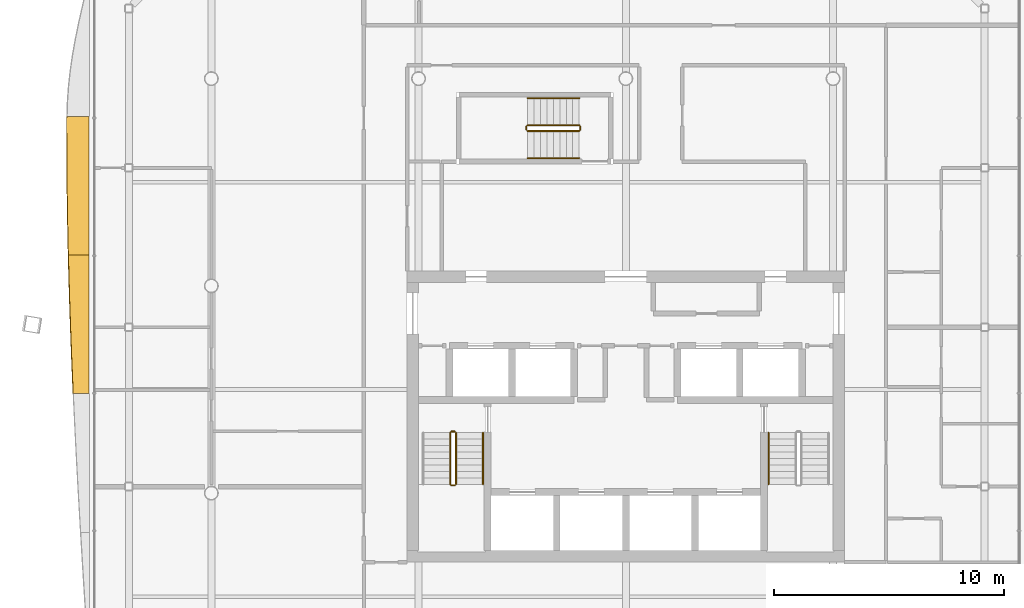
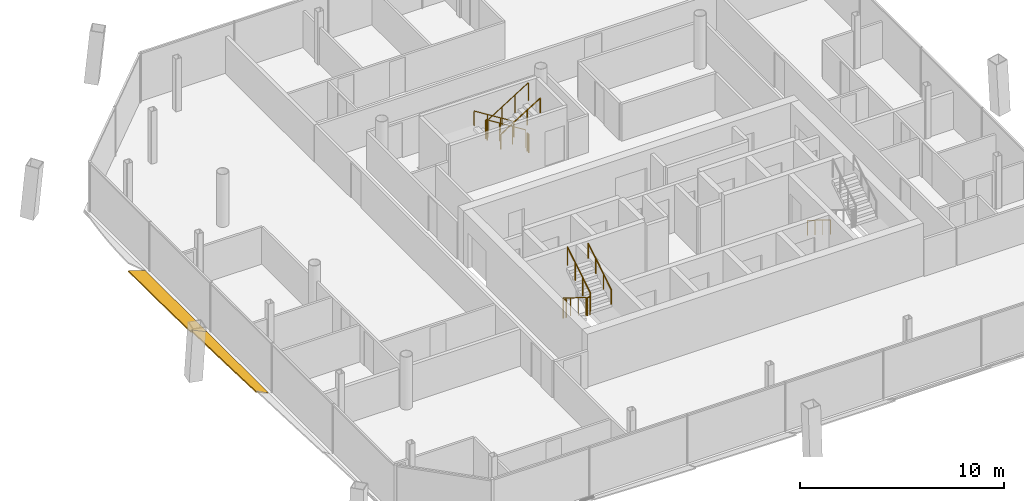
# One storey, part 18 of 20: 12 railings, 2 shading devices.
"""IFC4 building model written with IfcOpenShell, lengths in metres."""

from ifc_helpers import new_model, si_unit, direction, frame, origin, origin_2d, place, context, subcontext, project, spatial, polyline, circle, outline, extrude, material, layer, layer_set, type_object, element, save


model = new_model("IFC4")

# Units and contexts
model_context = context("Model", 3, precision=1e-05, world=origin(), true_north=direction((0.0, 1.0)))
body_context = subcontext(model_context, "Body", "Model", "MODEL_VIEW")
ifc_project = project(units=[si_unit("LENGTHUNIT", "METRE"), si_unit("AREAUNIT", "SQUARE_METRE"), si_unit("VOLUMEUNIT", "CUBIC_METRE"), si_unit("PLANEANGLEUNIT", "RADIAN"), si_unit("MASSUNIT", "GRAM", prefix="KILO")], contexts=[model_context])

# Site, building, storey
site_placement = place(None, origin())
site = spatial("IfcSite", under=ifc_project, at=site_placement, CompositionType="ELEMENT")
building_placement = place(site_placement, origin())
building = spatial("IfcBuilding", under=site, at=building_placement, Name="Tskaro Facet Tower", CompositionType="ELEMENT")
storey_placement = place(building_placement, frame((0.0, 0.0, 197.39990234375)))
storey = spatial("IfcBuildingStorey", under=building, at=storey_placement, Name="L50", CompositionType="ELEMENT", Elevation=197.39990234375)

# Shading devices
ifc_material_1 = material(Name="Bronze anodised aluminium 6063-T6", Category="aluminium")
ifc_layer = layer(ifc_material_1, 0.06005859375, Name="Bronze anodised aluminium 6063-T6")
ifc_layer_set = layer_set([ifc_layer], Name="Bronze anodised aluminium 6063-T6")
shading_device_type = type_object("IfcShadingDeviceType", Name="Bronze sun blade (FN1)", PredefinedType="USERDEFINED", material=ifc_layer_set)
shading_device_1_placement = place(storey_placement, frame((-23.3095703125, 7.354736328125, 0.056396484375), z_axis=(0.342126019609, 1.4419109e-05, 0.939654078105), x_axis=(4.933152e-06, -0.999999999896, 1.3548975e-05)))
element("IfcShadingDevice", 1, at=shading_device_1_placement, inside=storey, type_object=shading_device_type, Name="Fin blade west 2", ObjectType="FIN", PredefinedType="USERDEFINED", context=body_context, shape_type="SweptSolid", body=[
    extrude(outline(polyline([(0.0, 0.0), (6.019042968124289, 0.0), (6.019042969420159, -0.956688795967807), (5.350341795715747, -0.9727496663976708), (4.6816406250306875, -0.986808221235516), (4.012695311023385, -0.9992397490889502), (3.343994141864794, -1.00943955361643), (2.6750488260761047, -1.017928804299234), (2.006347655136126, -1.0241863316560837), (1.337646486011118, -1.0286709511548506), (0.6687011714603945, -1.0312156090750062), (0.1804199224102433, -1.0317579514031432), (-1.244179750312315e-09, -1.0306732667468692), (0.0, 0.0)])), origin(), (0.0, 0.0, -1.0), 0.06005859375),
])
shading_device_2_placement = place(storey_placement, frame((-23.3046875, 1.335693359375, 0.054443359375), z_axis=(0.422660493682, -4.511271e-06, 0.90628809275), x_axis=(-1.906736e-06, -0.99999999999, -4.088512e-06)))
element("IfcShadingDevice", 2, at=shading_device_2_placement, inside=storey, type_object=shading_device_type, Name="Fin blade west 3", ObjectType="FIN", PredefinedType="USERDEFINED", context=body_context, shape_type="SweptSolid", body=[
    extrude(outline(polyline([(0.0, 0.0), (6.019287109313749, 1.274633625155931e-21), (6.019287109792275, -0.7609638018137694), (5.350585937887873, -0.7932937722184373), (4.681640624561746, -0.8240897949805449), (4.012939453060232, -0.8531454929059096), (3.3439941401369953, -0.8806672431887139), (2.675292969038372, -0.9064486686347751), (2.0065917971430207, -0.930696146438276), (1.3376464838930942, -0.9528639645193329), (0.6689453124677812, -0.9732914577636466), (1.5340358587137569e-10, -0.9918605530269123), (0.0, 0.0)])), origin(), (0.0, 0.0, -1.0), 0.06005859375),
])

# Railings
ifc_material_2 = material(Name="Stainless steel", Category="steel")
railing_type_1 = type_object("IfcRailingType", Name="RL-GUARD-1100", PredefinedType="GUARDRAIL", material=ifc_material_2)
railing_1_placement = place(storey_placement, frame((-7.625, -6.375, 0.175048828125)))
element("IfcRailing", 3, at=railing_1_placement, inside=storey, type_object=railing_type_1, Name="L50 ST-1 stair guard 1", PredefinedType="GUARDRAIL", context=body_context, shape_type="SweptSolid", body=[
    extrude(circle(Radius=0.02392578125, at=origin_2d()), frame((0.0, 0.0, 1.076171875), z_axis=(0.0, -0.847972341737, 0.530040477369), x_axis=(1.0, 0.0, 0.0)), (0.0, 0.0, 1.0), 2.6416015625),
    extrude(circle(Radius=0.02099609375, at=origin_2d()), origin(), (0.0, 0.0, 1.0), 1.052001953125),
    extrude(circle(Radius=0.02099609375, at=origin_2d()), frame((0.0, -0.74658203125, 0.466796875)), (0.0, 0.0, 1.0), 1.052001953125),
    extrude(circle(Radius=0.02099609375, at=origin_2d()), frame((0.0, -1.493408203125, 0.933349609375)), (0.0, 0.0, 1.0), 1.052001953125),
    extrude(circle(Radius=0.02099609375, at=origin_2d()), frame((0.0, -2.239990234375, 1.400146484375)), (0.0, 0.0, 1.0), 1.052001953125),
])
railing_2_placement = place(storey_placement, frame((-7.574951171875, -8.6650390625, 1.5751953125)))
element("IfcRailing", 4, at=railing_2_placement, inside=storey, type_object=railing_type_1, Name="L50 ST-1 stair guard 2", PredefinedType="GUARDRAIL", context=body_context, shape_type="SweptSolid", body=[
    extrude(circle(Radius=0.02392578125, at=origin_2d()), frame((0.0, 0.0, 1.076171875), z_axis=(1.0, 0.0, 0.0), x_axis=(0.0, 1.0, 0.0)), (0.0, 0.0, 1.0), 0.14990234375),
    extrude(circle(Radius=0.02099609375, at=origin_2d()), origin(), (0.0, 0.0, 1.0), 1.052001953125),
    extrude(circle(Radius=0.02099609375, at=origin_2d()), frame((0.14990234375, 0.0, 0.0)), (0.0, 0.0, 1.0), 1.052001953125),
])
railing_3_placement = place(storey_placement, frame((-7.375, -8.614990234375, 1.75)))
element("IfcRailing", 5, at=railing_3_placement, inside=storey, type_object=railing_type_1, Name="L50 ST-1 stair guard 3", PredefinedType="GUARDRAIL", context=body_context, shape_type="SweptSolid", body=[
    extrude(circle(Radius=0.02392578125, at=origin_2d()), frame((0.0, 0.0, 1.076171875), z_axis=(0.0, 0.847972341737, 0.530040477369), x_axis=(-1.0, 0.0, 0.0)), (0.0, 0.0, 1.0), 2.6416015625),
    extrude(circle(Radius=0.02099609375, at=origin_2d()), origin(), (0.0, 0.0, 1.0), 1.052001953125),
    extrude(circle(Radius=0.02099609375, at=origin_2d()), frame((0.0, 0.74658203125, 0.466796875)), (0.0, 0.0, 1.0), 1.052001953125),
    extrude(circle(Radius=0.02099609375, at=origin_2d()), frame((0.0, 1.493408203125, 0.933349609375)), (0.0, 0.0, 1.0), 1.052001953125),
    extrude(circle(Radius=0.02099609375, at=origin_2d()), frame((0.0, 2.239990234375, 1.400146484375)), (0.0, 0.0, 1.0), 1.052001953125),
])
railing_4_placement = place(storey_placement, frame((-7.574951171875, -6.324951171875, 0.0)))
element("IfcRailing", 6, at=railing_4_placement, inside=storey, type_object=railing_type_1, Name="L50 ST-1 stair guard 4", PredefinedType="GUARDRAIL", context=body_context, shape_type="SweptSolid", body=[
    extrude(circle(Radius=0.02392578125, at=origin_2d()), frame((0.0, 0.0, 1.076171875), z_axis=(1.0, 0.0, 0.0), x_axis=(0.0, 1.0, 0.0)), (0.0, 0.0, 1.0), 0.14990234375),
    extrude(circle(Radius=0.02099609375, at=origin_2d()), origin(), (0.0, 0.0, 1.0), 1.052001953125),
    extrude(circle(Radius=0.02099609375, at=origin_2d()), frame((0.14990234375, 0.0, 0.0)), (0.0, 0.0, 1.0), 1.052001953125),
])
railing_5_placement = place(storey_placement, frame((-2.02490234375, 6.97509765625, 0.175048828125)))
element("IfcRailing", 7, at=railing_5_placement, inside=storey, type_object=railing_type_1, Name="L50 ST-3 stair guard 1", PredefinedType="GUARDRAIL", context=body_context, shape_type="SweptSolid", body=[
    extrude(circle(Radius=0.02392578125, at=origin_2d()), frame((0.0, 0.0, 1.076171875), z_axis=(-0.847972341737, 0.0, 0.530040477369), x_axis=(0.0, -1.0, 0.0)), (0.0, 0.0, 1.0), 2.6416015625),
    extrude(circle(Radius=0.02099609375, at=origin_2d()), origin(), (0.0, 0.0, 1.0), 1.052001953125),
    extrude(circle(Radius=0.02099609375, at=origin_2d()), frame((-0.74658203125, 0.0, 0.466796875)), (0.0, 0.0, 1.0), 1.052001953125),
    extrude(circle(Radius=0.02099609375, at=origin_2d()), frame((-1.493408203125, 0.0, 0.933349609375)), (0.0, 0.0, 1.0), 1.052001953125),
    extrude(circle(Radius=0.02099609375, at=origin_2d()), frame((-2.239990234375, 0.0, 1.400146484375)), (0.0, 0.0, 1.0), 1.052001953125),
])
railing_6_placement = place(storey_placement, frame((-4.31494140625, 6.925048828125, 1.5751953125)))
element("IfcRailing", 8, at=railing_6_placement, inside=storey, type_object=railing_type_1, Name="L50 ST-3 stair guard 2", PredefinedType="GUARDRAIL", context=body_context, shape_type="SweptSolid", body=[
    extrude(circle(Radius=0.02392578125, at=origin_2d()), frame((0.0, 0.0, 1.076171875), z_axis=(0.0, -1.0, 0.0), x_axis=(1.0, 0.0, 0.0)), (0.0, 0.0, 1.0), 0.150146484375),
    extrude(circle(Radius=0.02099609375, at=origin_2d()), origin(), (0.0, 0.0, 1.0), 1.052001953125),
    extrude(circle(Radius=0.02099609375, at=origin_2d()), frame((0.0, -0.150146484375, 0.0)), (0.0, 0.0, 1.0), 1.052001953125),
])
railing_7_placement = place(storey_placement, frame((-4.264892578125, 6.72509765625, 1.75)))
element("IfcRailing", 9, at=railing_7_placement, inside=storey, type_object=railing_type_1, Name="L50 ST-3 stair guard 3", PredefinedType="GUARDRAIL", context=body_context, shape_type="SweptSolid", body=[
    extrude(circle(Radius=0.02392578125, at=origin_2d()), frame((0.0, 0.0, 1.076171875), z_axis=(0.847972341737, 0.0, 0.530040477369), x_axis=(0.0, 1.0, 0.0)), (0.0, 0.0, 1.0), 2.6416015625),
    extrude(circle(Radius=0.02099609375, at=origin_2d()), origin(), (0.0, 0.0, 1.0), 1.052001953125),
    extrude(circle(Radius=0.02099609375, at=origin_2d()), frame((0.74658203125, 0.0, 0.466796875)), (0.0, 0.0, 1.0), 1.052001953125),
    extrude(circle(Radius=0.02099609375, at=origin_2d()), frame((1.493408203125, 0.0, 0.933349609375)), (0.0, 0.0, 1.0), 1.052001953125),
    extrude(circle(Radius=0.02099609375, at=origin_2d()), frame((2.239990234375, 0.0, 1.400146484375)), (0.0, 0.0, 1.0), 1.052001953125),
])
railing_8_placement = place(storey_placement, frame((-1.97509765625, 6.925048828125, 0.0)))
element("IfcRailing", 10, at=railing_8_placement, inside=storey, type_object=railing_type_1, Name="L50 ST-3 stair guard 4", PredefinedType="GUARDRAIL", context=body_context, shape_type="SweptSolid", body=[
    extrude(circle(Radius=0.02392578125, at=origin_2d()), frame((0.0, 0.0, 1.076171875), z_axis=(0.0, -1.0, 0.0), x_axis=(1.0, 0.0, 0.0)), (0.0, 0.0, 1.0), 0.150146484375),
    extrude(circle(Radius=0.02099609375, at=origin_2d()), origin(), (0.0, 0.0, 1.0), 1.052001953125),
    extrude(circle(Radius=0.02099609375, at=origin_2d()), frame((0.0, -0.150146484375, 0.0)), (0.0, 0.0, 1.0), 1.052001953125),
])
railing_type_2 = type_object("IfcRailingType", Name="RL-HANDRAIL-900", PredefinedType="HANDRAIL", material=ifc_material_2)
railing_9_placement = place(storey_placement, frame((-6.199951171875, -8.614990234375, 1.75)))
element("IfcRailing", 11, at=railing_9_placement, inside=storey, type_object=railing_type_2, Name="L50 ST-1 stair handrail 2", PredefinedType="HANDRAIL", context=body_context, shape_type="SweptSolid", body=[
    extrude(circle(Radius=0.02392578125, at=origin_2d()), frame((0.0, 0.0, 0.8759765625), z_axis=(0.0, 0.847972341737, 0.530040477369), x_axis=(-1.0, 0.0, 0.0)), (0.0, 0.0, 1.0), 2.6416015625),
    extrude(circle(Radius=0.02099609375, at=origin_2d()), origin(), (0.0, 0.0, 1.0), 0.851806640625),
    extrude(circle(Radius=0.02099609375, at=origin_2d()), frame((0.0, 0.74658203125, 0.466796875)), (0.0, 0.0, 1.0), 0.851806640625),
    extrude(circle(Radius=0.02099609375, at=origin_2d()), frame((0.0, 1.493408203125, 0.933349609375)), (0.0, 0.0, 1.0), 0.851806640625),
    extrude(circle(Radius=0.02099609375, at=origin_2d()), frame((0.0, 2.239990234375, 1.400146484375)), (0.0, 0.0, 1.0), 0.851806640625),
])
railing_10_placement = place(storey_placement, frame((6.199951171875, -6.375, 0.175048828125)))
element("IfcRailing", 12, at=railing_10_placement, inside=storey, type_object=railing_type_2, Name="L50 ST-2 stair handrail 1", PredefinedType="HANDRAIL", context=body_context, shape_type="SweptSolid", body=[
    extrude(circle(Radius=0.02392578125, at=origin_2d()), frame((0.0, 0.0, 0.8759765625), z_axis=(0.0, -0.847972341737, 0.530040477369), x_axis=(1.0, 0.0, 0.0)), (0.0, 0.0, 1.0), 2.6416015625),
    extrude(circle(Radius=0.02099609375, at=origin_2d()), origin(), (0.0, 0.0, 1.0), 0.851806640625),
    extrude(circle(Radius=0.02099609375, at=origin_2d()), frame((0.0, -0.74658203125, 0.466796875)), (0.0, 0.0, 1.0), 0.851806640625),
    extrude(circle(Radius=0.02099609375, at=origin_2d()), frame((0.0, -1.493408203125, 0.933349609375)), (0.0, 0.0, 1.0), 0.851806640625),
    extrude(circle(Radius=0.02099609375, at=origin_2d()), frame((0.0, -2.239990234375, 1.400146484375)), (0.0, 0.0, 1.0), 0.851806640625),
])
railing_11_placement = place(storey_placement, frame((-2.02490234375, 8.14990234375, 0.175048828125)))
element("IfcRailing", 13, at=railing_11_placement, inside=storey, type_object=railing_type_2, Name="L50 ST-3 stair handrail 1", PredefinedType="HANDRAIL", context=body_context, shape_type="SweptSolid", body=[
    extrude(circle(Radius=0.02392578125, at=origin_2d()), frame((0.0, 0.0, 0.8759765625), z_axis=(-0.847972341737, 0.0, 0.530040477369), x_axis=(0.0, -1.0, 0.0)), (0.0, 0.0, 1.0), 2.6416015625),
    extrude(circle(Radius=0.02099609375, at=origin_2d()), origin(), (0.0, 0.0, 1.0), 0.851806640625),
    extrude(circle(Radius=0.02099609375, at=origin_2d()), frame((-0.74658203125, 0.0, 0.466796875)), (0.0, 0.0, 1.0), 0.851806640625),
    extrude(circle(Radius=0.02099609375, at=origin_2d()), frame((-1.493408203125, 0.0, 0.933349609375)), (0.0, 0.0, 1.0), 0.851806640625),
    extrude(circle(Radius=0.02099609375, at=origin_2d()), frame((-2.239990234375, 0.0, 1.400146484375)), (0.0, 0.0, 1.0), 0.851806640625),
])
railing_12_placement = place(storey_placement, frame((-4.264892578125, 5.550048828125, 1.75)))
element("IfcRailing", 14, at=railing_12_placement, inside=storey, type_object=railing_type_2, Name="L50 ST-3 stair handrail 2", PredefinedType="HANDRAIL", context=body_context, shape_type="SweptSolid", body=[
    extrude(circle(Radius=0.02392578125, at=origin_2d()), frame((0.0, 0.0, 0.8759765625), z_axis=(0.847972341737, 0.0, 0.530040477369), x_axis=(0.0, 1.0, 0.0)), (0.0, 0.0, 1.0), 2.6416015625),
    extrude(circle(Radius=0.02099609375, at=origin_2d()), origin(), (0.0, 0.0, 1.0), 0.851806640625),
    extrude(circle(Radius=0.02099609375, at=origin_2d()), frame((0.74658203125, 0.0, 0.466796875)), (0.0, 0.0, 1.0), 0.851806640625),
    extrude(circle(Radius=0.02099609375, at=origin_2d()), frame((1.493408203125, 0.0, 0.933349609375)), (0.0, 0.0, 1.0), 0.851806640625),
    extrude(circle(Radius=0.02099609375, at=origin_2d()), frame((2.239990234375, 0.0, 1.400146484375)), (0.0, 0.0, 1.0), 0.851806640625),
])

save(model, "model.ifc")
